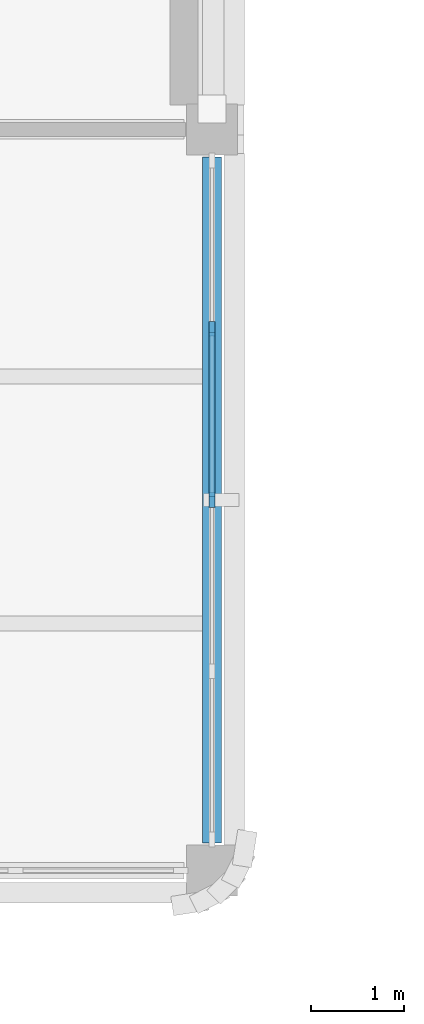
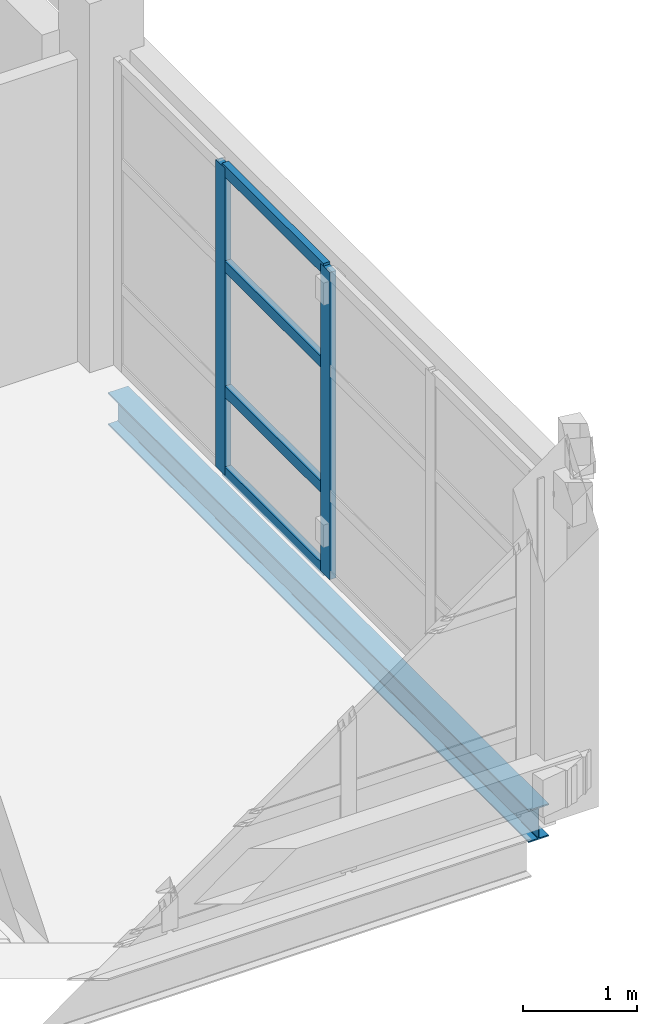
# One storey, part 20 of 107: 6 members, 1 beam, 1 element without a shape of its own.
"""IFC4 building model written with IfcOpenShell, lengths in metres."""

from ifc_helpers import new_model, si_unit, derived_unit, direction, frame, origin, origin_2d, place, context, subcontext, project, spatial, rectangle, i_section, extrude, material, layer, layer_set, material_profile, profile_set, type_object, element, aggregate, save


model = new_model("IFC4")

# Units and contexts
model_context = context("Model", 3, precision=1e-05, world=origin(), true_north=direction((0.0, 1.0)))
body_context = subcontext(model_context, "Body", "Model", "MODEL_VIEW")
ifc_project = project(units=[si_unit("LENGTHUNIT", "METRE"), si_unit("AREAUNIT", "SQUARE_METRE"), si_unit("VOLUMEUNIT", "CUBIC_METRE"), si_unit("PLANEANGLEUNIT", "RADIAN"), si_unit("MASSUNIT", "GRAM", prefix="KILO"), derived_unit("THERMALTRANSMITTANCEUNIT", [(si_unit("MASSUNIT", "GRAM", prefix="KILO"), 1), (si_unit("TIMEUNIT", "SECOND"), -3), (si_unit("THERMODYNAMICTEMPERATUREUNIT", "KELVIN"), -1)])], contexts=[model_context])

# Site, building, storey
site_placement = place(None, origin())
site = spatial("IfcSite", under=ifc_project, at=site_placement, CompositionType="ELEMENT")
building_placement = place(site_placement, origin())
building = spatial("IfcBuilding", under=site, at=building_placement, Name="Veyamyaing Civic Hall", CompositionType="ELEMENT")
storey_placement = place(building_placement, frame((0.0, 0.0, 13.860107421875)))
storey = spatial("IfcBuildingStorey", under=building, at=storey_placement, Name="L03", CompositionType="ELEMENT", Elevation=13.860107421875)

# Beam
ifc_material_1 = material(Name="Steel ASTM A992", Category="steel")
ifc_material_profile_1 = material_profile(ifc_material_1, i_section(OverallWidth=0.2041015625, OverallDepth=0.35009765625, WebThickness=0.0078125, FlangeThickness=0.01513671875, FilletRadius=0.010009765625, at=origin_2d()), Name="W360X72")
ifc_profile_set_1 = profile_set([ifc_material_profile_1], Name="Steel ASTM A992")
beam_type = type_object("IfcBeamType", Name="B-11", PredefinedType="SPANDREL", material=ifc_profile_set_1)
beam_placement = place(storey_placement, frame((112.0, 24.300048828125, -0.43017578125), z_axis=(0.0, 1.0, 0.0), x_axis=(-1.0, 0.0, 0.0)))
element("IfcBeam", 1, at=beam_placement, inside=storey, type_object=beam_type, Name="Girder B-11 L03 Grid 15 D-E", PredefinedType="SPANDREL", context=body_context, shape_type="SweptSolid", body=[
    extrude(i_section(OverallWidth=0.2041015625, OverallDepth=0.35009765625, WebThickness=0.0078125, FlangeThickness=0.01513671875, FilletRadius=0.010009765625, at=origin_2d()), origin(), (0.0, 0.0, 1.0), 7.39990234375),
])

# Curtain wall, members
ifc_material_2 = material(Name="Anodised aluminium 6063-T6", Category="aluminium")
ifc_layer = layer(ifc_material_2, 0.159912109375, Name="Anodised aluminium 6063-T6")
ifc_layer_set = layer_set([ifc_layer], Name="Anodised aluminium 6063-T6")
curtain_wall_type = type_object("IfcCurtainWallType", Name="CW-07", PredefinedType="NOTDEFINED", material=ifc_layer_set)
curtain_wall_placement = place(storey_placement, origin())
curtain_wall = element("IfcCurtainWall", 2, at=curtain_wall_placement, inside=storey, type_object=curtain_wall_type, Name="Unitized curtain wall CW-07 L03 E 14.4", PredefinedType="NOTDEFINED")
ifc_material_profile_2 = material_profile(ifc_material_2, rectangle(XDim=0.06494140625, YDim=0.159912109375, at=origin_2d()), Name="ALU-MUL-65X160")
ifc_profile_set_2 = profile_set([ifc_material_profile_2], Name="Anodised aluminium 6063-T6")
member_type_1 = type_object("IfcMemberType", Name="CWM-01", PredefinedType="MULLION", material=ifc_profile_set_2)
member_1_placement = place(storey_placement, frame((112.0, 28.0, 0.0), z_axis=(0.0, 0.0, 1.0), x_axis=(-1.0, 0.0, 0.0)))
member_1 = element("IfcMember", 3, at=member_1_placement, type_object=member_type_1, Name="CW-07 mullion 3", PredefinedType="MULLION", context=body_context, shape_type="SweptSolid", body=[
    extrude(rectangle(XDim=0.06494140625, YDim=0.159912109375, at=origin_2d()), origin(), (0.0, 0.0, 1.0), 3.2998046875),
])
member_2_placement = place(storey_placement, frame((112.0, 29.847412109375, 0.0), z_axis=(0.0, 0.0, 1.0), x_axis=(-1.0, 0.0, 0.0)))
member_2 = element("IfcMember", 4, at=member_2_placement, type_object=member_type_1, Name="CW-07 mullion 4", PredefinedType="MULLION", context=body_context, shape_type="SweptSolid", body=[
    extrude(rectangle(XDim=0.06494140625, YDim=0.159912109375, at=origin_2d()), origin(), (0.0, 0.0, 1.0), 3.2998046875),
])
ifc_material_profile_3 = material_profile(ifc_material_2, rectangle(XDim=0.06494140625, YDim=0.1201171875, at=origin_2d()), Name="ALU-TRN-65X120")
ifc_profile_set_3 = profile_set([ifc_material_profile_3], Name="Anodised aluminium 6063-T6")
member_type_2 = type_object("IfcMemberType", Name="CWT-01", PredefinedType="USERDEFINED", material=ifc_profile_set_3)
member_3_placement = place(storey_placement, frame((112.0, 28.032470703125, 0.032470703125), z_axis=(0.0, 1.0, 0.0), x_axis=(-1.0, 0.0, 0.0)))
member_3 = element("IfcMember", 5, at=member_3_placement, type_object=member_type_2, Name="CW-07 transom 3.1", ObjectType="TRANSOM", PredefinedType="USERDEFINED", context=body_context, shape_type="SweptSolid", body=[
    extrude(rectangle(XDim=0.06494140625, YDim=0.1201171875, at=origin_2d()), origin(), (0.0, 0.0, 1.0), 1.782470703125),
])
member_4_placement = place(storey_placement, frame((112.0, 28.032470703125, 0.89990234375), z_axis=(0.0, 1.0, 0.0), x_axis=(-1.0, 0.0, 0.0)))
member_4 = element("IfcMember", 6, at=member_4_placement, type_object=member_type_2, Name="CW-07 transom 3.2", ObjectType="TRANSOM", PredefinedType="USERDEFINED", context=body_context, shape_type="SweptSolid", body=[
    extrude(rectangle(XDim=0.06494140625, YDim=0.1201171875, at=origin_2d()), origin(), (0.0, 0.0, 1.0), 1.782470703125),
])
member_5_placement = place(storey_placement, frame((112.0, 28.032470703125, 2.243896484375), z_axis=(0.0, 1.0, 0.0), x_axis=(-1.0, 0.0, 0.0)))
member_5 = element("IfcMember", 7, at=member_5_placement, type_object=member_type_2, Name="CW-07 transom 3.3", ObjectType="TRANSOM", PredefinedType="USERDEFINED", context=body_context, shape_type="SweptSolid", body=[
    extrude(rectangle(XDim=0.06494140625, YDim=0.1201171875, at=origin_2d()), origin(), (0.0, 0.0, 1.0), 1.782470703125),
])
member_6_placement = place(storey_placement, frame((112.0, 28.032470703125, 3.267333984375), z_axis=(0.0, 1.0, 0.0), x_axis=(-1.0, 0.0, 0.0)))
member_6 = element("IfcMember", 8, at=member_6_placement, type_object=member_type_2, Name="CW-07 transom 3.4", ObjectType="TRANSOM", PredefinedType="USERDEFINED", context=body_context, shape_type="SweptSolid", body=[
    extrude(rectangle(XDim=0.06494140625, YDim=0.1201171875, at=origin_2d()), origin(), (0.0, 0.0, 1.0), 1.782470703125),
])
aggregate(curtain_wall, [member_1, member_2, member_3, member_4, member_5, member_6])

save(model, "model.ifc")
